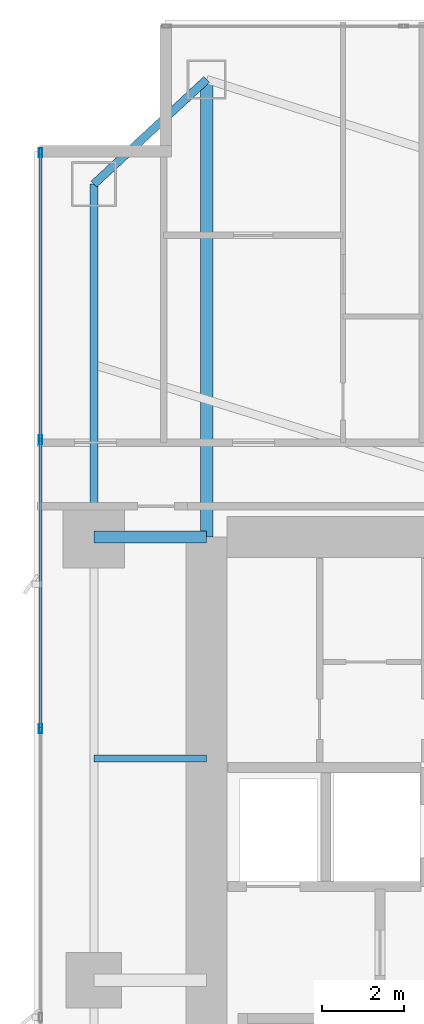
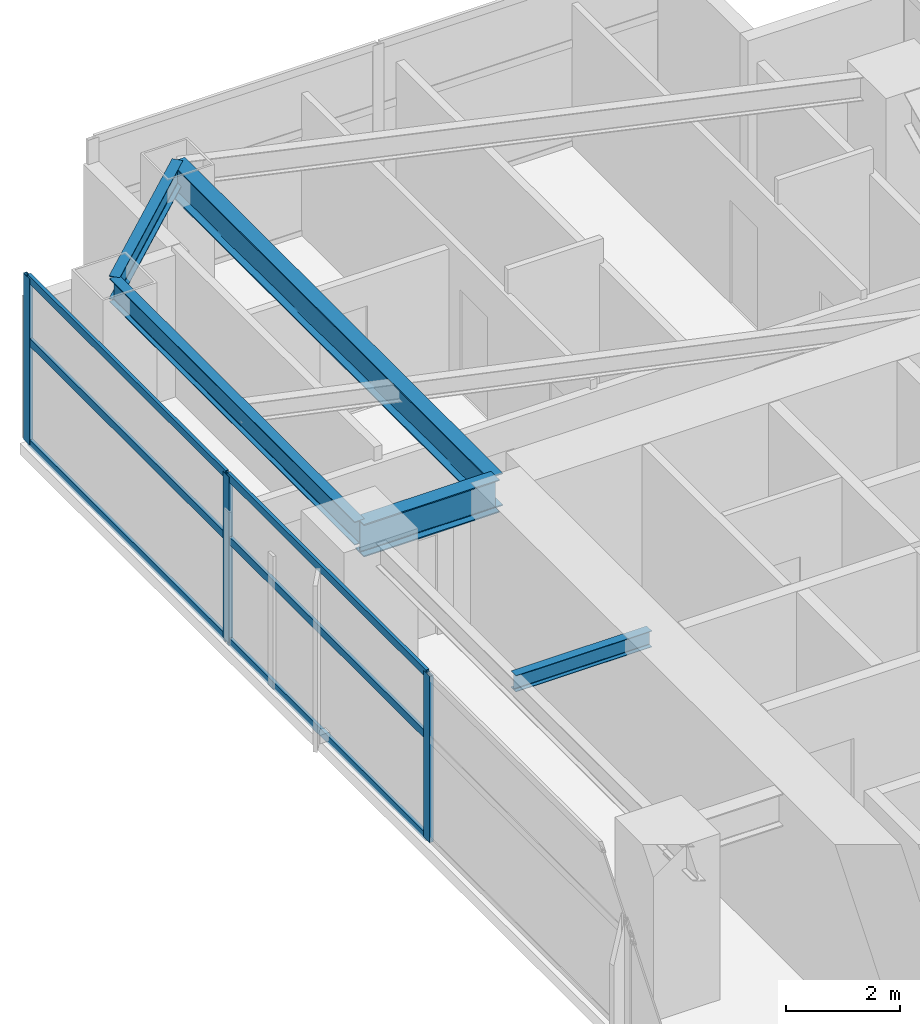
# One storey, part 16 of 29: 9 members, 5 beams, 1 element without a shape of its own.
"""IFC4 building model written with IfcOpenShell, lengths in metres."""

import ifcopenshell
import ifcopenshell.guid

model = None  # the IFC model being written
_history = None  # IfcOwnerHistory: only IFC2X3 demands one
_inside = {}  # id of a spatial element -> (the spatial element, [elements in it])
_under = {}  # id of a project, library or spatial element -> (it, [spatial elements below it])
_declared = {}  # id of a project -> (the project, [libraries it declares])
_typed = {}  # id of a type object -> (the type object, [elements of that type])
_made_of = {}  # id of a material, layer set ... -> (it, [elements and type objects made of it])


def new_model(schema):
    """Start an empty IFC model of exactly this schema.

    Asked for "IFC4X3", IfcOpenShell would pick the latest addendum, in which some entities
    have other attributes; the version numbers below select the first issue.
    IFC2X3 requires an IfcOwnerHistory on every rooted entity: one is made here for all.
    """
    global model, _history
    if schema == "IFC4X3":
        model = ifcopenshell.file(schema_version=(4, 3, 0, 0))
    else:
        model = ifcopenshell.file(schema=schema)
    _inside.clear()
    _under.clear()
    _declared.clear()
    _typed.clear()
    _made_of.clear()
    _history = None
    if model.schema == "IFC2X3":
        org = make("IfcOrganization", Name="unknown")
        user = make(
            "IfcPersonAndOrganization",
            ThePerson=make("IfcPerson", FamilyName="unknown"),
            TheOrganization=org,
        )
        app = make(
            "IfcApplication",
            ApplicationDeveloper=org,
            Version="unknown",
            ApplicationFullName="unknown",
            ApplicationIdentifier="unknown",
        )
        _history = make(
            "IfcOwnerHistory",
            OwningUser=user,
            OwningApplication=app,
            ChangeAction="ADDED",
            CreationDate=0,
        )
    return model


def make(cls, **values):
    """One entity of the class cls with the attributes given. An attribute that is None is left unset."""
    return model.create_entity(
        cls, **{name: value for name, value in values.items() if value is not None}
    )


def rooted(cls, **values):
    """An entity with a GlobalId (a new one), such as an element, a storey or a relation."""
    return make(cls, GlobalId=ifcopenshell.guid.new(), OwnerHistory=_history, **values)


def si_unit(unit_type, name, prefix=None):
    """IfcSIUnit, for example si_unit("LENGTHUNIT", "METRE", prefix="MILLI")."""
    return make("IfcSIUnit", UnitType=unit_type, Prefix=prefix, Name=name)


def assignment(units):
    """IfcUnitAssignment: the units of a project."""
    return None if units is None else make("IfcUnitAssignment", Units=units)


def point(xyz):
    """IfcCartesianPoint."""
    return None if xyz is None else make("IfcCartesianPoint", Coordinates=xyz)


def direction(xyz):
    """IfcDirection."""
    return None if xyz is None else make("IfcDirection", DirectionRatios=xyz)


def frame(location, z_axis=None, x_axis=None):
    """IfcAxis2Placement3D, a coordinate frame: its origin and axes. An axis left out is left unset."""
    return make(
        "IfcAxis2Placement3D",
        Location=point(location),
        Axis=direction(z_axis),
        RefDirection=direction(x_axis),
    )


def frame_2d(location, x_axis=None):
    """IfcAxis2Placement2D, a coordinate frame in the plane: its origin and x axis."""
    return make(
        "IfcAxis2Placement2D", Location=point(location), RefDirection=direction(x_axis)
    )


def origin():
    """The frame at (0, 0, 0) with its axes left unset."""
    return frame((0.0, 0.0, 0.0))


def origin_2d():
    """The frame at (0, 0) in the plane with its x axis left unset."""
    return frame_2d((0.0, 0.0))


def place(relative_to, where):
    """IfcLocalPlacement: puts the frame where relative to a parent placement (None: the world)."""
    return make(
        "IfcLocalPlacement", PlacementRelTo=relative_to, RelativePlacement=where
    )


def context(
    kind, dimensions, precision=None, world=None, true_north=None, identifier=None
):
    """IfcGeometricRepresentationContext, for example the 3D "Model" context."""
    return make(
        "IfcGeometricRepresentationContext",
        ContextIdentifier=identifier,
        ContextType=kind,
        CoordinateSpaceDimension=dimensions,
        Precision=precision,
        WorldCoordinateSystem=world,
        TrueNorth=true_north,
    )


def subcontext(parent, identifier, kind, view, scale=None):
    """IfcGeometricRepresentationSubContext, for example "Body" below "Model"."""
    return make(
        "IfcGeometricRepresentationSubContext",
        ContextIdentifier=identifier,
        ContextType=kind,
        ParentContext=parent,
        TargetScale=scale,
        TargetView=view,
    )


def project(units=None, contexts=None):
    """IfcProject with its units and contexts."""
    return rooted(
        "IfcProject",
        Name="project",
        RepresentationContexts=contexts,
        UnitsInContext=assignment(units),
    )


def spatial(cls, under=None, at=None, **own):
    """A site, building, storey or space (cls), placed at a placement, below another one or the project."""
    s = rooted(cls, ObjectPlacement=at, **own)
    if under is not None:
        _under.setdefault(under.id(), (under, []))[1].append(s)
    return s


def profile(cls, at=None, kind="AREA", **sizes):
    """A parametric profile (cls). Its sizes go by their IFC names, for example OverallWidth=200.0."""
    return make(cls, ProfileType=kind, Position=at, **sizes)


def hollow_rectangle(**sizes):
    """IfcRectangleHollowProfileDef."""
    return profile("IfcRectangleHollowProfileDef", **sizes)


def i_section(**sizes):
    """IfcIShapeProfileDef."""
    return profile("IfcIShapeProfileDef", **sizes)


def extrude(swept, where, along, depth):
    """IfcExtrudedAreaSolid: the profile swept, set in the frame where, extruded along a direction by depth."""
    return make(
        "IfcExtrudedAreaSolid",
        SweptArea=swept,
        Position=where,
        ExtrudedDirection=direction(along),
        Depth=depth,
    )


def shape(context_of_items, identifier, shape_type, items):
    """IfcShapeRepresentation: the items that make up one representation, for example the "Body"."""
    return make(
        "IfcShapeRepresentation",
        ContextOfItems=context_of_items,
        RepresentationIdentifier=identifier,
        RepresentationType=shape_type,
        Items=items,
    )


def material(Name=None, Category=None):
    """IfcMaterial."""
    return make("IfcMaterial", Name=Name, Category=Category)


def layer(
    of_material, thickness, ventilated=None, Name=None, Category=None, Priority=None
):
    """IfcMaterialLayer: one layer of a wall or slab, of a material (None: an air gap)."""
    return make(
        "IfcMaterialLayer",
        Material=of_material,
        LayerThickness=thickness,
        IsVentilated=ventilated,
        Name=Name,
        Category=Category,
        Priority=Priority,
    )


def layer_set(layers, Name=None):
    """IfcMaterialLayerSet."""
    return make("IfcMaterialLayerSet", MaterialLayers=layers, LayerSetName=Name)


def material_profile(
    of_material, cross_section, Name=None, Category=None, Priority=None
):
    """IfcMaterialProfile: a cross section and its material."""
    return make(
        "IfcMaterialProfile",
        Name=Name,
        Material=of_material,
        Profile=cross_section,
        Priority=Priority,
        Category=Category,
    )


def profile_set(profiles, Name=None, composite=None):
    """IfcMaterialProfileSet."""
    return make(
        "IfcMaterialProfileSet",
        Name=Name,
        MaterialProfiles=profiles,
        CompositeProfile=composite,
    )


def made_of(thing, what):
    """Note that an element or type object is made of a material, layer set ...; save() writes the relation."""
    if what is not None:
        _made_of.setdefault(what.id(), (what, []))[1].append(thing)
    return thing


def type_object(cls, material=None, **own):
    """A type object (cls), such as IfcWallType, which elements share."""
    return made_of(rooted(cls, **own), material)


def element(
    cls,
    number,
    at=None,
    inside=None,
    cuts=None,
    type_object=None,
    material=None,
    context=None,
    identifier="Body",
    shape_type=None,
    held_by="IfcProductDefinitionShape",
    body=None,
    shapes=None,
    **own,
):
    """One element of the class cls, such as IfcWall. Its Tag is "e" and its number.

    at: its placement. inside: the storey or other place that contains it. cuts: it is an
    opening in that element (IfcRelVoidsElement). A single representation is given by context,
    identifier, shape_type and body (its items); several are given by shapes. held_by: the class
    of the entity that holds the representations. save() writes the other relations.
    """
    e = rooted(cls, Tag="e%d" % number, ObjectPlacement=at, **own)
    if body is not None:
        shapes = [shape(context, identifier, shape_type, body)]
    if shapes is not None:
        e.Representation = make(held_by, Representations=shapes)
    if inside is not None:
        _inside.setdefault(inside.id(), (inside, []))[1].append(e)
    if cuts is not None:
        rooted(
            "IfcRelVoidsElement", RelatingBuildingElement=cuts, RelatedOpeningElement=e
        )
    if type_object is not None:
        _typed.setdefault(type_object.id(), (type_object, []))[1].append(e)
    return made_of(e, material)


def aggregate(whole, parts):
    """IfcRelAggregates: a whole, such as a stair, and the parts it consists of."""
    return rooted("IfcRelAggregates", RelatingObject=whole, RelatedObjects=parts)


def save(model, path):
    """Write the relations noted so far, then the file.

    IfcRelAggregates (storeys below a building ...), IfcRelContainedInSpatialStructure (elements
    in a storey), IfcRelDefinesByType, IfcRelAssociatesMaterial and IfcRelDeclares: one each for
    every whole, place, type object, material and project.
    """
    for whole, parts in _under.values():
        aggregate(whole, parts)
    for where, things in _inside.values():
        rooted(
            "IfcRelContainedInSpatialStructure",
            RelatedElements=things,
            RelatingStructure=where,
        )
    for kind, things in _typed.values():
        rooted("IfcRelDefinesByType", RelatedObjects=things, RelatingType=kind)
    for what, things in _made_of.values():
        rooted("IfcRelAssociatesMaterial", RelatedObjects=things, RelatingMaterial=what)
    for by, libraries in _declared.values():
        rooted("IfcRelDeclares", RelatingContext=by, RelatedDefinitions=libraries)
    model.write(path)


model = new_model("IFC4")

# Units and contexts
model_context = context("Model", 3, precision=1e-05, world=origin(), true_north=direction((0.0, 1.0)))
body_context = subcontext(model_context, "Body", "Model", "MODEL_VIEW")
ifc_project = project(units=[si_unit("LENGTHUNIT", "METRE"), si_unit("AREAUNIT", "SQUARE_METRE"), si_unit("VOLUMEUNIT", "CUBIC_METRE"), si_unit("PLANEANGLEUNIT", "RADIAN"), si_unit("MASSUNIT", "GRAM", prefix="KILO")], contexts=[model_context])

# Site, building, storey
site_placement = place(None, origin())
site = spatial("IfcSite", under=ifc_project, at=site_placement, CompositionType="ELEMENT")
building_placement = place(site_placement, origin())
building = spatial("IfcBuilding", under=site, at=building_placement, Name="Calvorn Quay Hotel", CompositionType="ELEMENT")
storey_placement = place(building_placement, frame((0.0, 0.0, 69.800048828125)))
storey = spatial("IfcBuildingStorey", under=building, at=storey_placement, Name="L16", CompositionType="ELEMENT", Elevation=69.800048828125)

# Beams
ifc_material_1 = material(Name="Steel Q390GJC", Category="steel")
ifc_material_profile_1 = material_profile(ifc_material_1, i_section(OverallWidth=0.300048828125, OverallDepth=0.699951171875, WebThickness=0.012939453125, FlangeThickness=0.02392578125, FilletRadius=0.02392578125, at=origin_2d()), Name="HN700x300x13x24")
ifc_profile_set_1 = profile_set([ifc_material_profile_1], Name="Steel Q390GJC")
beam_type_1 = type_object("IfcBeamType", Name="BM-GIRD-MAIN", PredefinedType="BEAM", material=ifc_profile_set_1)
beam_1_placement = place(storey_placement, frame((1.449951171875, 38.39990234375, 3.18994140625), z_axis=(1.0, 0.0, 0.0), x_axis=(0.0, 1.0, 0.0)))
element("IfcBeam", 1, at=beam_1_placement, inside=storey, type_object=beam_type_1, Name="Beam BG-L16-W3", PredefinedType="BEAM", context=body_context, shape_type="SweptSolid", body=[
    extrude(i_section(OverallWidth=0.300048828125, OverallDepth=0.699951171875, WebThickness=0.012939453125, FlangeThickness=0.02392578125, FilletRadius=0.02392578125, at=origin_2d()), origin(), (0.0, 0.0, 1.0), 2.75),
])
beam_2_placement = place(storey_placement, frame((4.199951171875, 49.550048828125, 3.18994140625), z_axis=(0.0, -1.0, 0.0), x_axis=(1.0, 0.0, 0.0)))
element("IfcBeam", 2, at=beam_2_placement, inside=storey, type_object=beam_type_1, Name="Beam BG-L16-W5", PredefinedType="BEAM", context=body_context, shape_type="SweptSolid", body=[
    extrude(i_section(OverallWidth=0.300048828125, OverallDepth=0.699951171875, WebThickness=0.012939453125, FlangeThickness=0.02392578125, FilletRadius=0.02392578125, at=origin_2d()), origin(), (0.0, 0.0, 1.0), 11.150146484375),
])
ifc_material_2 = material(Name="Steel Q355B", Category="steel")
ifc_material_profile_2 = material_profile(ifc_material_2, i_section(OverallWidth=0.175048828125, OverallDepth=0.35009765625, WebThickness=0.007080078125, FlangeThickness=0.010986328125, FilletRadius=0.013916015625, at=origin_2d()), Name="HN350x175x7x11")
ifc_profile_set_2 = profile_set([ifc_material_profile_2], Name="Steel Q355B")
beam_type_2 = type_object("IfcBeamType", Name="BM-JOIST-SEC", PredefinedType="JOIST", material=ifc_profile_set_2)
beam_3_placement = place(storey_placement, frame((1.449951171875, 33.0, 3.364990234375), z_axis=(1.0, 0.0, 0.0), x_axis=(0.0, 1.0, 0.0)))
element("IfcBeam", 3, at=beam_3_placement, inside=storey, type_object=beam_type_2, Name="Beam BJ-L16-W4", PredefinedType="JOIST", context=body_context, shape_type="SweptSolid", body=[
    extrude(i_section(OverallWidth=0.175048828125, OverallDepth=0.35009765625, WebThickness=0.007080078125, FlangeThickness=0.010986328125, FilletRadius=0.013916015625, at=origin_2d()), origin(), (0.0, 0.0, 1.0), 2.75),
])
ifc_material_3 = material(Name="Steel Q355B", Category="steel")
ifc_material_profile_3 = material_profile(ifc_material_3, i_section(OverallWidth=0.199951171875, OverallDepth=0.5, WebThickness=0.010009765625, FlangeThickness=0.01611328125, FilletRadius=0.01611328125, at=origin_2d()), Name="HN500x200x10x16")
ifc_profile_set_3 = profile_set([ifc_material_profile_3], Name="Steel Q355B")
beam_type_3 = type_object("IfcBeamType", Name="BM-SPANDREL-Z1", PredefinedType="SPANDREL", material=ifc_profile_set_3)
beam_4_placement = place(storey_placement, frame((1.449951171875, 38.39990234375, 3.2900390625), z_axis=(0.0, 1.0, 0.0), x_axis=(-1.0, 0.0, 0.0)))
element("IfcBeam", 4, at=beam_4_placement, inside=storey, type_object=beam_type_3, Name="Beam BSP-L16-W4", PredefinedType="SPANDREL", context=body_context, shape_type="SweptSolid", body=[
    extrude(i_section(OverallWidth=0.199951171875, OverallDepth=0.5, WebThickness=0.010009765625, FlangeThickness=0.01611328125, FilletRadius=0.01611328125, at=origin_2d()), origin(), (0.0, 0.0, 1.0), 8.60009765625),
])
beam_5_placement = place(storey_placement, frame((1.449951171875, 47.0, 3.2900390625), z_axis=(0.733261665538, 0.679946563969, 0.0), x_axis=(-0.679946563969, 0.733261665538, 0.0)))
element("IfcBeam", 5, at=beam_5_placement, inside=storey, type_object=beam_type_3, Name="Beam BSP-L16-W5", PredefinedType="SPANDREL", context=body_context, shape_type="SweptSolid", body=[
    extrude(i_section(OverallWidth=0.199951171875, OverallDepth=0.5, WebThickness=0.010009765625, FlangeThickness=0.01611328125, FilletRadius=0.01611328125, at=origin_2d()), origin(), (0.0, 0.0, 1.0), 3.75048828125),
])

# Curtain wall, members
ifc_material_4 = material(Name="Pale Anodised Aluminium and Low-E Glass", Category="aluminium")
ifc_layer = layer(ifc_material_4, 0.219970703125)
ifc_layer_set = layer_set([ifc_layer], Name="CW-SYS-Z1")
curtain_wall_type = type_object("IfcCurtainWallType", Name="CW-SYS-Z1", PredefinedType="NOTDEFINED", material=ifc_layer_set)
curtain_wall_placement = place(storey_placement, origin())
curtain_wall = element("IfcCurtainWall", 6, at=curtain_wall_placement, inside=storey, type_object=curtain_wall_type, Name="Tower West Curtain Wall (L16)", PredefinedType="NOTDEFINED")
ifc_material_5 = material(Name="Pale Anodised Aluminium 6063-T6", Category="aluminium")
ifc_material_profile_4 = material_profile(ifc_material_5, hollow_rectangle(XDim=0.074951171875, YDim=0.219970703125, WallThickness=0.00439453125, at=origin_2d()), Name="ALU-M220x75x4.5")
ifc_profile_set_4 = profile_set([ifc_material_profile_4], Name="Pale Anodised Aluminium 6063-T6")
member_type_1 = type_object("IfcMemberType", Name="CW-SYS-Z1-MUL", PredefinedType="MULLION", material=ifc_profile_set_4)
member_1_placement = place(storey_placement, frame((0.14990234375, 33.7333984375, 0.0), z_axis=(0.0, 0.0, 1.0), x_axis=(-1.0, 0.0, 0.0)))
member_1 = element("IfcMember", 7, at=member_1_placement, type_object=member_type_1, Name="CW-L16-W mullion 5", PredefinedType="MULLION", context=body_context, shape_type="SweptSolid", body=[
    extrude(hollow_rectangle(XDim=0.074951171875, YDim=0.219970703125, WallThickness=0.00439453125, at=origin_2d()), origin(), (0.0, 0.0, 1.0), 3.56005859375),
])
member_2_placement = place(storey_placement, frame((0.14990234375, 40.7666015625, 0.0), z_axis=(0.0, 0.0, 1.0), x_axis=(-1.0, 0.0, 0.0)))
member_2 = element("IfcMember", 8, at=member_2_placement, type_object=member_type_1, Name="CW-L16-W mullion 6", PredefinedType="MULLION", context=body_context, shape_type="SweptSolid", body=[
    extrude(hollow_rectangle(XDim=0.074951171875, YDim=0.219970703125, WallThickness=0.00439453125, at=origin_2d()), origin(), (0.0, 0.0, 1.0), 3.56005859375),
])
member_3_placement = place(storey_placement, frame((0.14990234375, 47.77001953125, 0.0), z_axis=(0.0, 0.0, 1.0), x_axis=(-1.0, 0.0, 0.0)))
member_3 = element("IfcMember", 9, at=member_3_placement, type_object=member_type_1, Name="CW-L16-W mullion 7", PredefinedType="MULLION", context=body_context, shape_type="SweptSolid", body=[
    extrude(hollow_rectangle(XDim=0.074951171875, YDim=0.219970703125, WallThickness=0.00439453125, at=origin_2d()), origin(), (0.0, 0.0, 1.0), 3.56005859375),
])
ifc_material_6 = material(Name="Pale Anodised Aluminium 6063-T6", Category="aluminium")
ifc_material_profile_5 = material_profile(ifc_material_6, hollow_rectangle(XDim=0.06494140625, YDim=0.1650390625, WallThickness=0.00341796875, at=origin_2d()), Name="ALU-T165x65x3.5")
ifc_profile_set_5 = profile_set([ifc_material_profile_5], Name="Pale Anodised Aluminium 6063-T6")
member_type_2 = type_object("IfcMemberType", Name="CW-SYS-Z1-TRN", PredefinedType="USERDEFINED", material=ifc_profile_set_5)
member_4_placement = place(storey_placement, frame((0.14990234375, 33.763427734375, 0.030029296875), z_axis=(0.0, 1.0, 0.0), x_axis=(-1.0, 0.0, 0.0)))
member_4 = element("IfcMember", 10, at=member_4_placement, type_object=member_type_2, Name="CW-L16-W transom 5.1", ObjectType="TRANSOM", PredefinedType="USERDEFINED", context=body_context, shape_type="SweptSolid", body=[
    extrude(hollow_rectangle(XDim=0.06494140625, YDim=0.1650390625, WallThickness=0.00341796875, at=origin_2d()), origin(), (0.0, 0.0, 1.0), 6.97314453125),
])
member_5_placement = place(storey_placement, frame((0.14990234375, 33.763427734375, 2.199951171875), z_axis=(0.0, 1.0, 0.0), x_axis=(-1.0, 0.0, 0.0)))
member_5 = element("IfcMember", 11, at=member_5_placement, type_object=member_type_2, Name="CW-L16-W transom 5.2", ObjectType="TRANSOM", PredefinedType="USERDEFINED", context=body_context, shape_type="SweptSolid", body=[
    extrude(hollow_rectangle(XDim=0.06494140625, YDim=0.1650390625, WallThickness=0.00341796875, at=origin_2d()), origin(), (0.0, 0.0, 1.0), 6.97314453125),
])
member_6_placement = place(storey_placement, frame((0.14990234375, 33.763427734375, 3.530029296875), z_axis=(0.0, 1.0, 0.0), x_axis=(-1.0, 0.0, 0.0)))
member_6 = element("IfcMember", 12, at=member_6_placement, type_object=member_type_2, Name="CW-L16-W transom 5.3", ObjectType="TRANSOM", PredefinedType="USERDEFINED", context=body_context, shape_type="SweptSolid", body=[
    extrude(hollow_rectangle(XDim=0.06494140625, YDim=0.1650390625, WallThickness=0.00341796875, at=origin_2d()), origin(), (0.0, 0.0, 1.0), 6.97314453125),
])
member_7_placement = place(storey_placement, frame((0.14990234375, 40.796630859375, 0.030029296875), z_axis=(0.0, 1.0, 0.0), x_axis=(-1.0, 0.0, 0.0)))
member_7 = element("IfcMember", 13, at=member_7_placement, type_object=member_type_2, Name="CW-L16-W transom 6.1", ObjectType="TRANSOM", PredefinedType="USERDEFINED", context=body_context, shape_type="SweptSolid", body=[
    extrude(hollow_rectangle(XDim=0.06494140625, YDim=0.1650390625, WallThickness=0.00341796875, at=origin_2d()), origin(), (0.0, 0.0, 1.0), 6.943359375),
])
member_8_placement = place(storey_placement, frame((0.14990234375, 40.796630859375, 2.199951171875), z_axis=(0.0, 1.0, 0.0), x_axis=(-1.0, 0.0, 0.0)))
member_8 = element("IfcMember", 14, at=member_8_placement, type_object=member_type_2, Name="CW-L16-W transom 6.2", ObjectType="TRANSOM", PredefinedType="USERDEFINED", context=body_context, shape_type="SweptSolid", body=[
    extrude(hollow_rectangle(XDim=0.06494140625, YDim=0.1650390625, WallThickness=0.00341796875, at=origin_2d()), origin(), (0.0, 0.0, 1.0), 6.943359375),
])
member_9_placement = place(storey_placement, frame((0.14990234375, 40.796630859375, 3.530029296875), z_axis=(0.0, 1.0, 0.0), x_axis=(-1.0, 0.0, 0.0)))
member_9 = element("IfcMember", 15, at=member_9_placement, type_object=member_type_2, Name="CW-L16-W transom 6.3", ObjectType="TRANSOM", PredefinedType="USERDEFINED", context=body_context, shape_type="SweptSolid", body=[
    extrude(hollow_rectangle(XDim=0.06494140625, YDim=0.1650390625, WallThickness=0.00341796875, at=origin_2d()), origin(), (0.0, 0.0, 1.0), 6.943359375),
])
aggregate(curtain_wall, [member_1, member_2, member_3, member_4, member_5, member_6, member_7, member_8, member_9])

save(model, "model.ifc")
